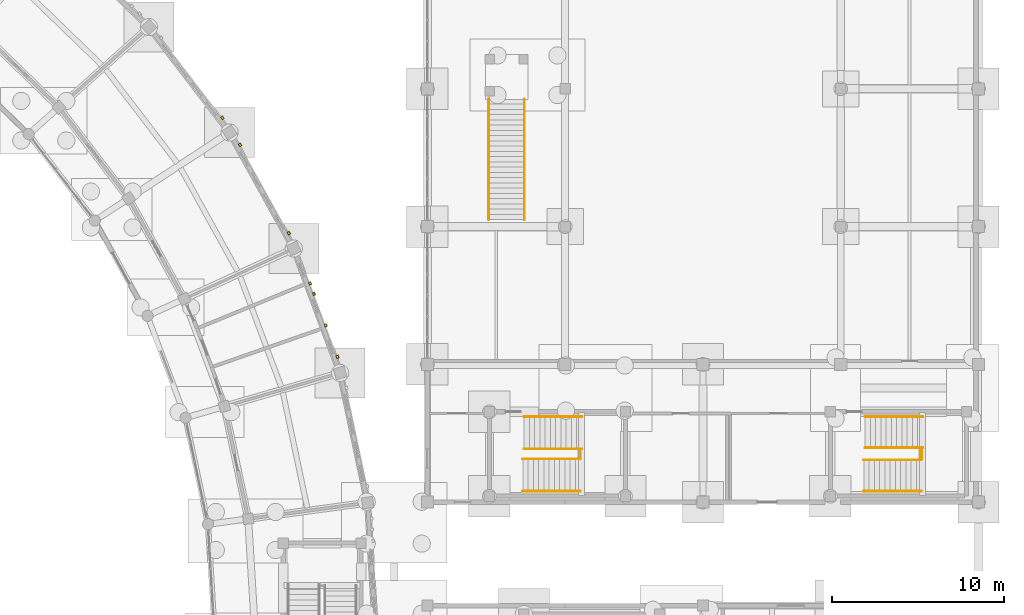
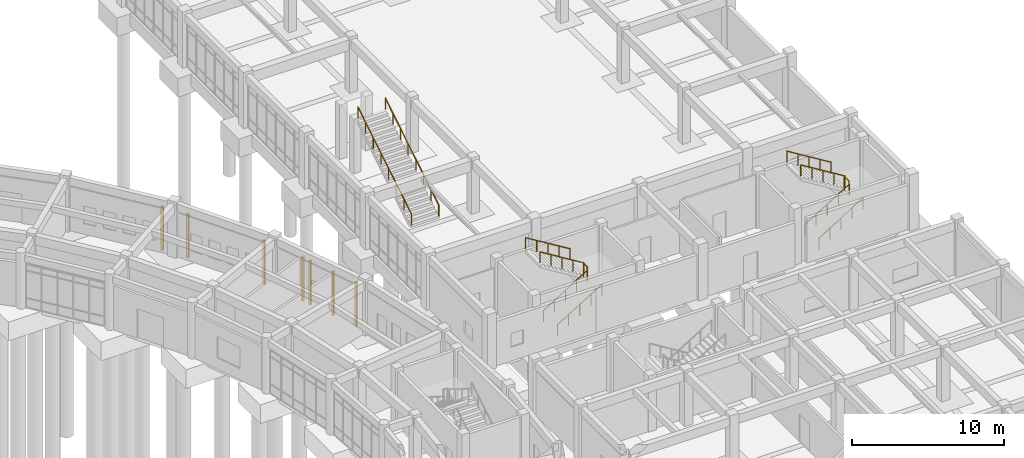
# One storey, part 152 of 153: 12 railings, 7 coverings.
"""IFC4 building model written with IfcOpenShell, lengths in metres."""

from ifc_helpers import new_model, si_unit, direction, frame, origin, origin_2d, place, context, subcontext, project, spatial, rectangle, circle, extrude, material, layer, layer_set, type_object, element, save


model = new_model("IFC4")

# Units and contexts
model_context = context("Model", 3, precision=1e-05, world=origin(), true_north=direction((0.0, 1.0)))
body_context = subcontext(model_context, "Body", "Model", "MODEL_VIEW")
ifc_project = project(units=[si_unit("LENGTHUNIT", "METRE"), si_unit("AREAUNIT", "SQUARE_METRE"), si_unit("VOLUMEUNIT", "CUBIC_METRE"), si_unit("PLANEANGLEUNIT", "RADIAN"), si_unit("MASSUNIT", "GRAM", prefix="KILO")], contexts=[model_context])

# Site, building, storey
site_placement = place(None, origin())
site = spatial("IfcSite", under=ifc_project, at=site_placement, CompositionType="ELEMENT")
building_placement = place(site_placement, origin())
building = spatial("IfcBuilding", under=site, at=building_placement, Name="Celadon Cloister-Ring School", CompositionType="ELEMENT")
storey_placement = place(building_placement, origin())
storey = spatial("IfcBuildingStorey", under=building, at=storey_placement, Name="L00", CompositionType="ELEMENT", Elevation=0.0)

# Coverings
ifc_material_1 = material(Name="Perforated terracotta clay brick masonry", Category="masonry")
ifc_layer = layer(ifc_material_1, 0.139892578125)
ifc_layer_set = layer_set([ifc_layer], Name="Perforated terracotta clay brick masonry")
covering_type = type_object("IfcCoveringType", Name="CV-SC1", PredefinedType="CLADDING", material=ifc_layer_set)
for number, where, z_axis, x_axis, name in (
    (1, (135.18798828125, 78.700927734375, 0.0), (0.0, 0.0, 1.0), (0.349438906874, -0.936959150851, 0.0), "Brick Screen Rib 0092"),
    (2, (135.4150390625, 78.092041015625, 0.0), (0.0, 0.0, 1.0), (0.349438906874, -0.936959150851, 0.0), "Brick Screen Rib 0093"),
    (3, (136.095947265625, 76.264892578125, 0.0), (0.0, 0.0, 1.0), (0.349438906874, -0.936959150851, 0.0), "Brick Screen Rib 0094"),
    (4, (136.777099609375, 74.43798828125, 0.0), (0.0, 0.0, 1.0), (0.349438906874, -0.936959150851, 0.0), "Brick Screen Rib 0095"),
    (5, (131.1201171875, 86.741943359375, 0.0), (0.0, 0.0, 1.0), (0.483862906985, -0.875143809465, 0.0), "Brick Screen Rib 0096"),
    (6, (133.949951171875, 81.6220703125, 0.0), (0.0, 0.0, 1.0), (0.483862906985, -0.875143809465, 0.0), "Brick Screen Rib 0097"),
    (7, (130.093017578125, 88.31103515625, 0.0), (0.0, 0.0, 1.0), (0.608041153742, -0.793905507826, 0.0), "Brick Screen Rib 0099"),
):
    element("IfcCovering", number, at=place(storey_placement, frame(where, z_axis=z_axis, x_axis=x_axis)), inside=storey, type_object=covering_type, Name=name, PredefinedType="CLADDING", context=body_context, shape_type="SweptSolid", body=[
        extrude(rectangle(XDim=0.179931640625, YDim=0.139892578125, at=origin_2d()), origin(), (0.0, 0.0, 1.0), 3.530029296875),
    ])

# Railings
ifc_material_2 = material(Name="Structural steel S355JR", Category="steel")
railing_type_1 = type_object("IfcRailingType", Name="RL-BL2", PredefinedType="BALUSTRADE", material=ifc_material_2)
railing_1_placement = place(storey_placement, frame((150.89501953125, 68.550048828125, 2.25)))
element("IfcRailing", 8, at=railing_1_placement, inside=storey, type_object=railing_type_1, Name="Interior Guard 0159", PredefinedType="BALUSTRADE", context=body_context, shape_type="SweptSolid", body=[
    extrude(circle(Radius=0.02392578125, at=origin_2d()), frame((0.0, 0.0, 1.09619140625), z_axis=(0.0, 1.0, 0.0), x_axis=(-1.0, 0.0, 0.0)), (0.0, 0.0, 1.0), 0.5),
    extrude(circle(Radius=0.02099609375, at=origin_2d()), origin(), (0.0, 0.0, 1.0), 1.072021484375),
    extrude(circle(Radius=0.02099609375, at=origin_2d()), frame((0.0, 0.5, 0.0)), (0.0, 0.0, 1.0), 1.072021484375),
])
railing_2_placement = place(storey_placement, frame((170.695068359375, 68.489990234375, 2.25)))
element("IfcRailing", 9, at=railing_2_placement, inside=storey, type_object=railing_type_1, Name="Interior Guard 0166", PredefinedType="BALUSTRADE", context=body_context, shape_type="SweptSolid", body=[
    extrude(circle(Radius=0.02392578125, at=origin_2d()), frame((0.0, 0.0, 1.09619140625), z_axis=(0.0, 1.0, 0.0), x_axis=(-1.0, 0.0, 0.0)), (0.0, 0.0, 1.0), 0.6201171875),
    extrude(circle(Radius=0.02099609375, at=origin_2d()), origin(), (0.0, 0.0, 1.0), 1.072021484375),
    extrude(circle(Radius=0.02099609375, at=origin_2d()), frame((0.0, 0.6201171875, 0.0)), (0.0, 0.0, 1.0), 1.072021484375),
])
ifc_material_3 = material(Name="Structural steel S355JR", Category="steel")
railing_type_2 = type_object("IfcRailingType", Name="RL-HR1", PredefinedType="HANDRAIL", material=ifc_material_3)
for number, where, name in (
    (10, (147.5400390625, 66.635009765625, 0.18798828125), "Stair Handrail 0155"),
    (11, (147.5400390625, 68.5048828125, 0.18798828125), "Stair Handrail 0156"),
):
    element("IfcRailing", number, at=place(storey_placement, frame(where)), inside=storey, type_object=railing_type_2, Name=name, PredefinedType="HANDRAIL", context=body_context, shape_type="SweptSolid", body=[
        extrude(circle(Radius=0.02099609375, at=origin_2d()), frame((0.0, 0.0, 0.87890625), z_axis=(0.85195193322, 0.0, 0.523619999125), x_axis=(0.0, 1.0, 0.0)), (0.0, 0.0, 1.0), 3.93798828125),
        extrude(circle(Radius=0.01806640625, at=origin_2d()), origin(), (0.0, 0.0, 1.0), 0.85791015625),
        extrude(circle(Radius=0.01806640625, at=origin_2d()), frame((0.8388671875, 0.0, 0.515625)), (0.0, 0.0, 1.0), 0.85791015625),
        extrude(circle(Radius=0.01806640625, at=origin_2d()), frame((1.677490234375, 0.0, 1.031005859375)), (0.0, 0.0, 1.0), 0.85791015625),
        extrude(circle(Radius=0.01806640625, at=origin_2d()), frame((2.51611328125, 0.0, 1.54638671875)), (0.0, 0.0, 1.0), 0.85791015625),
        extrude(circle(Radius=0.01806640625, at=origin_2d()), frame((3.35498046875, 0.0, 2.06201171875)), (0.0, 0.0, 1.0), 0.85791015625),
    ])
for number, where, name in (
    (12, (150.97509765625, 70.965087890625, 2.43798828125), "Stair Handrail 0157"),
    (13, (150.97509765625, 69.094970703125, 2.43798828125), "Stair Handrail 0158"),
):
    element("IfcRailing", number, at=place(storey_placement, frame(where)), inside=storey, type_object=railing_type_2, Name=name, PredefinedType="HANDRAIL", context=body_context, shape_type="SweptSolid", body=[
        extrude(circle(Radius=0.02099609375, at=origin_2d()), frame((0.0, 0.0, 0.87890625), z_axis=(-0.85195193322, 0.0, 0.523619999125), x_axis=(0.0, -1.0, 0.0)), (0.0, 0.0, 1.0), 3.93798828125),
        extrude(circle(Radius=0.01806640625, at=origin_2d()), origin(), (0.0, 0.0, 1.0), 0.85791015625),
        extrude(circle(Radius=0.01806640625, at=origin_2d()), frame((-0.8388671875, 0.0, 0.515625)), (0.0, 0.0, 1.0), 0.85791015625),
        extrude(circle(Radius=0.01806640625, at=origin_2d()), frame((-1.677490234375, 0.0, 1.031005859375)), (0.0, 0.0, 1.0), 0.85791015625),
        extrude(circle(Radius=0.01806640625, at=origin_2d()), frame((-2.51611328125, 0.0, 1.54638671875)), (0.0, 0.0, 1.0), 0.85791015625),
        extrude(circle(Radius=0.01806640625, at=origin_2d()), frame((-3.35498046875, 0.0, 2.06201171875)), (0.0, 0.0, 1.0), 0.85791015625),
    ])
for number, where, name in (
    (14, (167.340087890625, 66.635009765625, 0.18798828125), "Stair Handrail 0162"),
    (15, (167.340087890625, 68.445068359375, 0.18798828125), "Stair Handrail 0163"),
):
    element("IfcRailing", number, at=place(storey_placement, frame(where)), inside=storey, type_object=railing_type_2, Name=name, PredefinedType="HANDRAIL", context=body_context, shape_type="SweptSolid", body=[
        extrude(circle(Radius=0.02099609375, at=origin_2d()), frame((0.0, 0.0, 0.87890625), z_axis=(0.85195193322, 0.0, 0.523619999125), x_axis=(0.0, 1.0, 0.0)), (0.0, 0.0, 1.0), 3.93798828125),
        extrude(circle(Radius=0.01806640625, at=origin_2d()), origin(), (0.0, 0.0, 1.0), 0.85791015625),
        extrude(circle(Radius=0.01806640625, at=origin_2d()), frame((0.8388671875, 0.0, 0.515625)), (0.0, 0.0, 1.0), 0.85791015625),
        extrude(circle(Radius=0.01806640625, at=origin_2d()), frame((1.677490234375, 0.0, 1.031005859375)), (0.0, 0.0, 1.0), 0.85791015625),
        extrude(circle(Radius=0.01806640625, at=origin_2d()), frame((2.51611328125, 0.0, 1.54638671875)), (0.0, 0.0, 1.0), 0.85791015625),
        extrude(circle(Radius=0.01806640625, at=origin_2d()), frame((3.35498046875, 0.0, 2.06201171875)), (0.0, 0.0, 1.0), 0.85791015625),
    ])
for number, where, name in (
    (16, (170.77490234375, 70.965087890625, 2.43798828125), "Stair Handrail 0164"),
    (17, (170.77490234375, 69.155029296875, 2.43798828125), "Stair Handrail 0165"),
):
    element("IfcRailing", number, at=place(storey_placement, frame(where)), inside=storey, type_object=railing_type_2, Name=name, PredefinedType="HANDRAIL", context=body_context, shape_type="SweptSolid", body=[
        extrude(circle(Radius=0.02099609375, at=origin_2d()), frame((0.0, 0.0, 0.87890625), z_axis=(-0.85195193322, 0.0, 0.523619999125), x_axis=(0.0, -1.0, 0.0)), (0.0, 0.0, 1.0), 3.93798828125),
        extrude(circle(Radius=0.01806640625, at=origin_2d()), origin(), (0.0, 0.0, 1.0), 0.85791015625),
        extrude(circle(Radius=0.01806640625, at=origin_2d()), frame((-0.8388671875, 0.0, 0.515625)), (0.0, 0.0, 1.0), 0.85791015625),
        extrude(circle(Radius=0.01806640625, at=origin_2d()), frame((-1.677490234375, 0.0, 1.031005859375)), (0.0, 0.0, 1.0), 0.85791015625),
        extrude(circle(Radius=0.01806640625, at=origin_2d()), frame((-2.51611328125, 0.0, 1.54638671875)), (0.0, 0.0, 1.0), 0.85791015625),
        extrude(circle(Radius=0.01806640625, at=origin_2d()), frame((-3.35498046875, 0.0, 2.06201171875)), (0.0, 0.0, 1.0), 0.85791015625),
    ])
for number, where, name in (
    (18, (147.635009765625, 82.39990234375, 0.18798828125), "Stair Handrail 0287"),
    (19, (145.56494140625, 82.39990234375, 0.18798828125), "Stair Handrail 0288"),
):
    element("IfcRailing", number, at=place(storey_placement, frame(where)), inside=storey, type_object=railing_type_2, Name=name, PredefinedType="HANDRAIL", context=body_context, shape_type="SweptSolid", body=[
        extrude(circle(Radius=0.02099609375, at=origin_2d()), frame((0.0, 0.0, 0.87890625), z_axis=(0.0, 0.851928987039, 0.5236573317), x_axis=(-1.0, 0.0, 0.0)), (0.0, 0.0, 1.0), 8.234375),
        extrude(circle(Radius=0.01806640625, at=origin_2d()), origin(), (0.0, 0.0, 1.0), 0.85791015625),
        extrude(circle(Radius=0.01806640625, at=origin_2d()), frame((0.0, 1.002197265625, 0.615966796875)), (0.0, 0.0, 1.0), 0.85791015625),
        extrude(circle(Radius=0.01806640625, at=origin_2d()), frame((0.0, 2.00439453125, 1.23193359375)), (0.0, 0.0, 1.0), 0.85791015625),
        extrude(circle(Radius=0.01806640625, at=origin_2d()), frame((0.0, 3.006591796875, 1.847900390625)), (0.0, 0.0, 1.0), 0.85791015625),
        extrude(circle(Radius=0.01806640625, at=origin_2d()), frame((0.0, 4.008544921875, 2.464111328125)), (0.0, 0.0, 1.0), 0.85791015625),
        extrude(circle(Radius=0.01806640625, at=origin_2d()), frame((0.0, 5.0107421875, 3.080078125)), (0.0, 0.0, 1.0), 0.85791015625),
        extrude(circle(Radius=0.01806640625, at=origin_2d()), frame((0.0, 6.012939453125, 3.696044921875)), (0.0, 0.0, 1.0), 0.85791015625),
        extrude(circle(Radius=0.01806640625, at=origin_2d()), frame((0.0, 7.01513671875, 4.31201171875)), (0.0, 0.0, 1.0), 0.85791015625),
    ])

save(model, "model.ifc")
